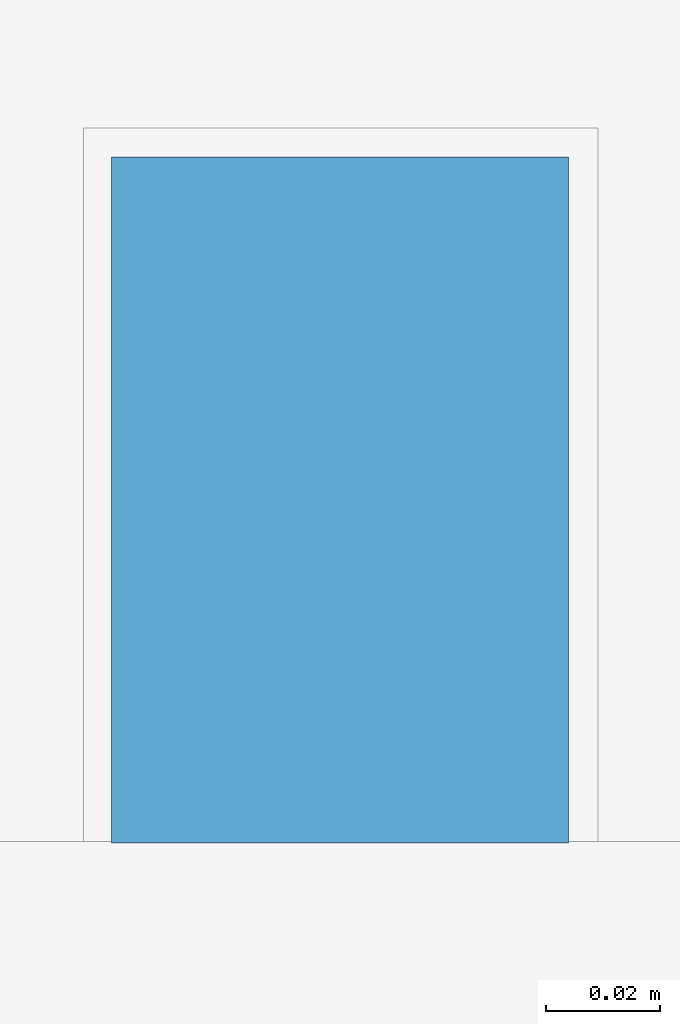
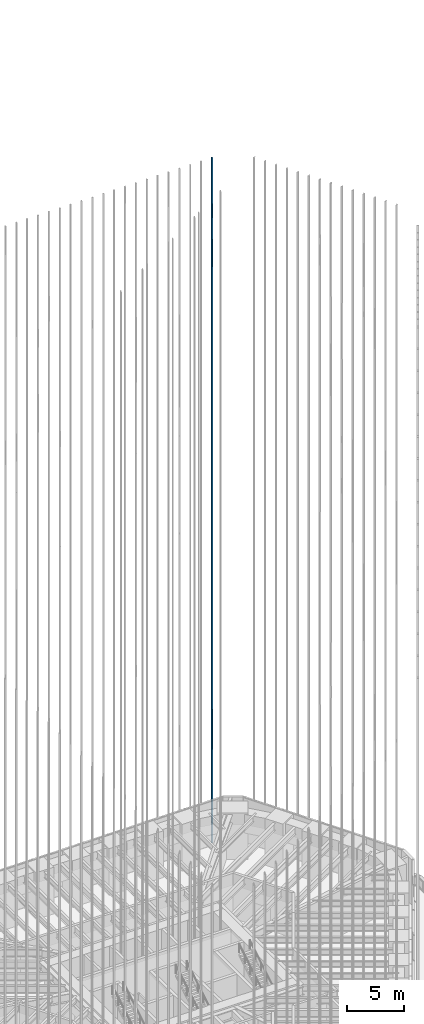
# One storey, part 216 of 228: 1 member, 1 element without a shape of its own.
"""IFC4 building model written with IfcOpenShell, lengths in metres."""

from ifc_helpers import new_model, si_unit, direction, frame, origin, origin_2d, place, context, subcontext, project, spatial, rectangle, extrude, material, material_profile, profile_set, type_object, element, aggregate, save


model = new_model("IFC4")

# Units and contexts
model_context = context("Model", 3, precision=1e-05, world=origin(), true_north=direction((0.0, 1.0)))
body_context = subcontext(model_context, "Body", "Model", "MODEL_VIEW")
ifc_project = project(units=[si_unit("LENGTHUNIT", "METRE"), si_unit("AREAUNIT", "SQUARE_METRE"), si_unit("VOLUMEUNIT", "CUBIC_METRE"), si_unit("PLANEANGLEUNIT", "RADIAN"), si_unit("MASSUNIT", "GRAM", prefix="KILO")], contexts=[model_context])

# Site, building, storey
site_placement = place(None, origin())
site = spatial("IfcSite", under=ifc_project, at=site_placement, CompositionType="ELEMENT")
building_placement = place(site_placement, origin())
building = spatial("IfcBuilding", under=site, at=building_placement, Name="Sandreach Pilgrim Tower", CompositionType="ELEMENT")
storey_placement = place(building_placement, frame((0.0, 0.0, 178.199951171875)))
storey = spatial("IfcBuildingStorey", under=building, at=storey_placement, Name="L44", CompositionType="ELEMENT", Elevation=178.199951171875)

# Curtain wall, member
ifc_material_1 = material(Name="Aluminium framed curtain wall", Category="aluminium")
curtain_wall_type = type_object("IfcCurtainWallType", Name="Upper hotel tower curtain wall", PredefinedType="NOTDEFINED", material=ifc_material_1)
curtain_wall_placement = place(storey_placement, origin())
curtain_wall = element("IfcCurtainWall", 1, at=curtain_wall_placement, inside=storey, type_object=curtain_wall_type, Name="CW-3 L44 N", PredefinedType="NOTDEFINED")
ifc_material_2 = material(Name="Extruded terracotta on aluminium core", Category="masonry")
ifc_material_profile = material_profile(ifc_material_2, rectangle(XDim=0.080078125, YDim=0.1201171875, at=origin_2d()), Name="TBN 80X120")
ifc_profile_set = profile_set([ifc_material_profile], Name="Extruded terracotta on aluminium core")
member_type = type_object("IfcMemberType", Name="Terracotta baguette north", PredefinedType="USERDEFINED", material=ifc_profile_set)
member_placement = place(storey_placement, frame((16.497802734375, 21.52001953125, 0.0), z_axis=(0.0, 0.0, 1.0), x_axis=(1.0, 0.0, 0.0)))
member = element("IfcMember", 2, at=member_placement, type_object=member_type, Name="Baguette Z3 N31", ObjectType="BAGUETTE", PredefinedType="USERDEFINED", context=body_context, shape_type="SweptSolid", body=[
    extrude(rectangle(XDim=0.080078125, YDim=0.1201171875, at=origin_2d()), origin(), (0.0, 0.0, 1.0), 73.239990234375),
])
aggregate(curtain_wall, [member])

save(model, "model.ifc")
